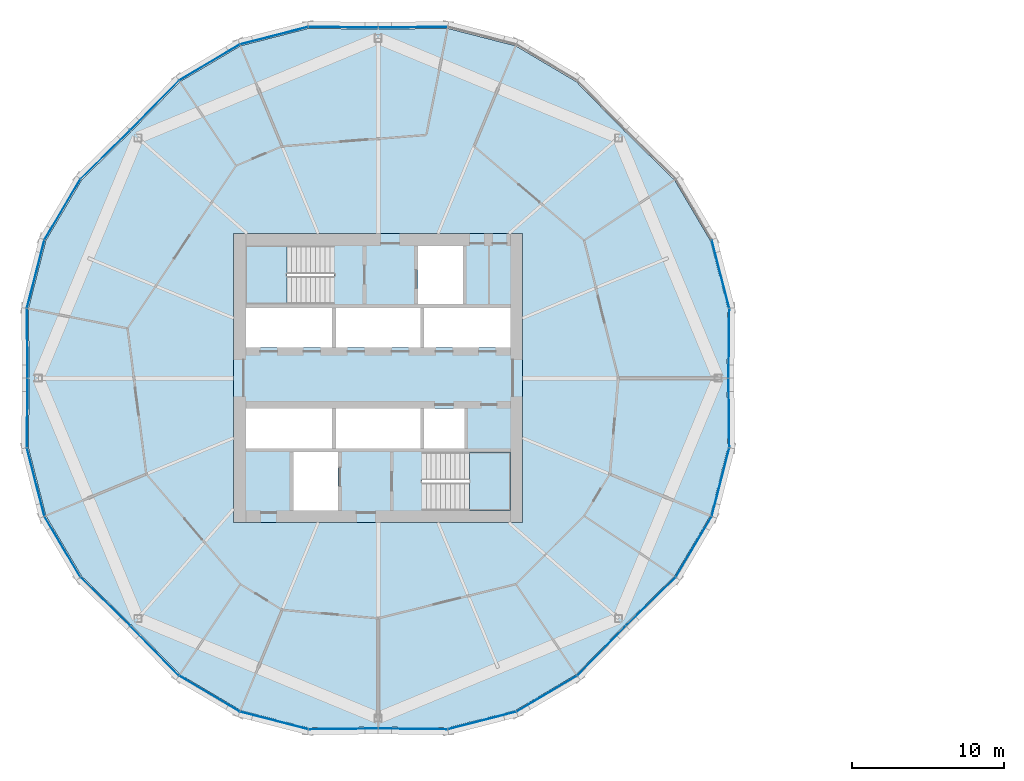
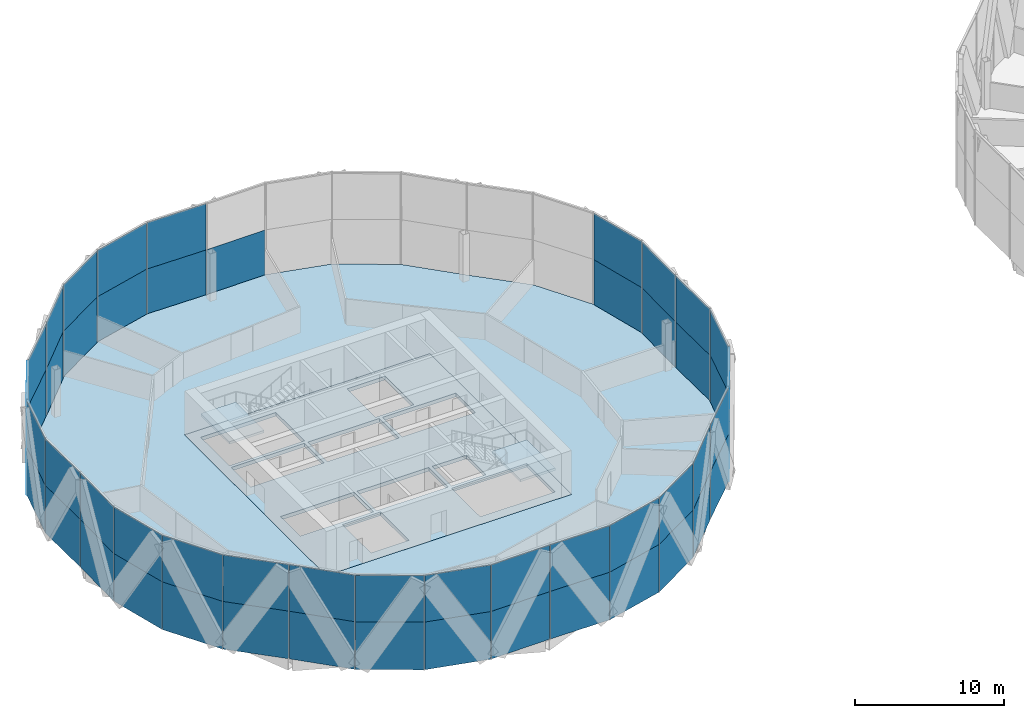
# One storey, part 16 of 27: 53 plates, 4 slabs, 10 elements without a shape of their own.
"""IFC4 building model written with IfcOpenShell, lengths in metres."""

from ifc_helpers import new_model, si_unit, direction, frame, origin, origin_2d, place, context, subcontext, project, spatial, polyline, rectangle, outline, extrude, material, layer, layer_set, type_object, element, aggregate, save


model = new_model("IFC4")

# Units and contexts
model_context = context("Model", 3, precision=1e-05, world=origin(), true_north=direction((0.0, 1.0)))
body_context = subcontext(model_context, "Body", "Model", "MODEL_VIEW")
ifc_project = project(units=[si_unit("LENGTHUNIT", "METRE"), si_unit("AREAUNIT", "SQUARE_METRE"), si_unit("VOLUMEUNIT", "CUBIC_METRE"), si_unit("PLANEANGLEUNIT", "RADIAN"), si_unit("MASSUNIT", "GRAM", prefix="KILO")], contexts=[model_context])

# Site, building, storey
site_placement = place(None, origin())
site = spatial("IfcSite", under=ifc_project, at=site_placement, CompositionType="ELEMENT")
building_placement = place(site_placement, origin())
building = spatial("IfcBuilding", under=site, at=building_placement, Name="Ogive Gate Towers", CompositionType="ELEMENT")
storey_placement = place(building_placement, frame((0.0, 0.0, 123.0)))
storey = spatial("IfcBuildingStorey", under=building, at=storey_placement, Name="L29", CompositionType="ELEMENT", Elevation=123.0)

# Slabs
ifc_material_1 = material(Name="Concrete C40/50", Category="concrete")
ifc_layer_1 = layer(ifc_material_1, 0.300048828125)
ifc_layer_set_1 = layer_set([ifc_layer_1], Name="Core slab C40/50 300 mm")
slab_type_1 = type_object("IfcSlabType", Name="Core slab C40/50 300 mm", PredefinedType="FLOOR", material=ifc_layer_set_1)
slab_1_placement = place(storey_placement, frame((0.0, 0.0, -0.300048828125)))
element("IfcSlab", 1, at=slab_1_placement, inside=storey, type_object=slab_type_1, Name="T1 L29 core slab", PredefinedType="FLOOR", context=body_context, shape_type="SweptSolid", body=[
    extrude(outline(polyline([(-26.5, 9.5), (-26.5, -9.5), (-45.5, -9.5), (-45.5, 9.5), (-26.5, 9.5)]), holes=[polyline([(-39.02490234375, 4.625), (-44.699951171875, 4.625), (-44.699951171875, 2.0), (-39.02490234375, 2.0), (-39.02490234375, 4.625)]), polyline([(-33.22509765625, 2.0), (-33.22509765625, 4.625), (-38.77490234375, 4.625), (-38.77490234375, 2.0), (-33.22509765625, 2.0)]), polyline([(-32.97509765625, 2.0), (-27.300048828125, 2.0), (-27.300048828125, 4.625), (-32.97509765625, 4.625), (-32.97509765625, 2.0)]), polyline([(-44.699951171875, -2.0), (-44.699951171875, -4.625), (-39.02490234375, -4.625), (-39.02490234375, -2.0), (-44.699951171875, -2.0)]), polyline([(-33.22509765625, -2.0), (-38.77490234375, -2.0), (-38.77490234375, -4.625), (-33.22509765625, -4.625), (-33.22509765625, -2.0)]), polyline([(-30.324951171875, -4.625), (-30.324951171875, -2.0), (-32.97509765625, -2.0), (-32.97509765625, -4.625), (-30.324951171875, -4.625)]), polyline([(-33.375, 4.875), (-30.425048828125, 4.875), (-30.425048828125, 8.699951171875), (-33.375, 8.699951171875), (-33.375, 4.875)]), polyline([(-41.574951171875, -4.875), (-41.574951171875, -8.699951171875), (-38.625, -8.699951171875), (-38.625, -4.875), (-41.574951171875, -4.875)]), polyline([(-44.699951171875, 4.875), (-38.885009765625, 4.875), (-38.885009765625, 8.699951171875), (-44.699951171875, 8.699951171875), (-44.699951171875, 4.875)]), polyline([(-27.300048828125, -8.699951171875), (-27.300048828125, -4.875), (-33.114990234375, -4.875), (-33.114990234375, -8.699951171875), (-27.300048828125, -8.699951171875)])]), origin(), (0.0, 0.0, 1.0), 0.300048828125),
])
ifc_material_2 = material(Name="Concrete C35/45", Category="concrete")
ifc_layer_2 = layer(ifc_material_2, 0.300048828125)
ifc_layer_set_2 = layer_set([ifc_layer_2], Name="Floor slab 300")
slab_type_2 = type_object("IfcSlabType", Name="Floor slab 300", PredefinedType="FLOOR", material=ifc_layer_set_2)
slab_2_placement = place(storey_placement, frame((0.0, 0.0, -0.300048828125)))
element("IfcSlab", 2, at=slab_2_placement, inside=storey, type_object=slab_type_2, Name="T1/L29/SSL001", PredefinedType="FLOOR", context=body_context, shape_type="SweptSolid", body=[
    extrude(outline(polyline([(-13.00048828125, -4.574951171875), (-13.050048828125, 0.0), (-13.00048828125, 4.574951171875), (-14.150146484375, 9.050537109375), (-16.501953125, 13.028076171875), (-19.77197265625, 16.22802734375), (-22.971923828125, 19.498046875), (-26.949462890625, 21.849853515625), (-31.425048828125, 22.99951171875), (-36.0, 22.949951171875), (-40.574951171875, 22.99951171875), (-45.050537109375, 21.849853515625), (-49.028076171875, 19.498046875), (-52.22802734375, 16.22802734375), (-55.498046875, 13.028076171875), (-57.849853515625, 9.050537109375), (-58.99951171875, 4.574951171875), (-58.949951171875, 0.0), (-58.99951171875, -4.574951171875), (-57.849853515625, -9.050537109375), (-55.498046875, -13.028076171875), (-52.22802734375, -16.22802734375), (-49.028076171875, -19.498046875), (-45.050537109375, -21.849853515625), (-40.574951171875, -22.99951171875), (-36.0, -22.949951171875), (-31.425048828125, -22.99951171875), (-26.949462890625, -21.849853515625), (-22.971923828125, -19.498046875), (-19.77197265625, -16.22802734375), (-16.501953125, -13.028076171875), (-14.150146484375, -9.050537109375), (-13.00048828125, -4.574951171875)]), holes=[polyline([(-26.5, -9.5), (-45.5, -9.5), (-45.5, 9.5), (-26.5, 9.5), (-26.5, -9.5)])]), origin(), (0.0, 0.0, 1.0), 0.300048828125),
])

# Stair, slab
stair_type = type_object("IfcStairType", Name="Escape stair 1840 wide", PredefinedType="HALF_TURN_STAIR", material=ifc_material_1)
stair_1_placement = place(storey_placement, origin())
stair_1 = element("IfcStair", 3, at=stair_1_placement, inside=storey, type_object=stair_type, Name="L29 Escape stair 1", PredefinedType="HALF_TURN_STAIR")
ifc_layer_3 = layer(ifc_material_1, 0.199951171875)
ifc_layer_set_3 = layer_set([ifc_layer_3], Name="Stair landing 200 mm")
slab_type_3 = type_object("IfcSlabType", Name="Stair landing 200 mm", PredefinedType="LANDING", material=ifc_layer_set_3)
slab_3_placement = place(storey_placement, frame((0.0, 0.0, 1.75)))
slab_3 = element("IfcSlab", 4, at=slab_3_placement, type_object=slab_type_3, Name="ST1 landing 1", PredefinedType="LANDING", context=body_context, shape_type="SweptSolid", body=[
    extrude(outline(polyline([(-42.00146484375, 8.699951171875), (-44.699951171875, 8.699951171875), (-44.699951171875, 4.875), (-42.00146484375, 4.875), (-42.00146484375, 8.699951171875)])), origin(), (0.0, 0.0, 1.0), 0.199951171875),
])
aggregate(stair_1, [slab_3])

stair_2_placement = place(storey_placement, origin())
stair_2 = element("IfcStair", 5, at=stair_2_placement, inside=storey, type_object=stair_type, Name="L29 Escape stair 2", PredefinedType="HALF_TURN_STAIR")
slab_4_placement = place(storey_placement, frame((0.0, 0.0, 1.75)))
slab_4 = element("IfcSlab", 6, at=slab_4_placement, type_object=slab_type_3, Name="ST2 landing 1", PredefinedType="LANDING", context=body_context, shape_type="SweptSolid", body=[
    extrude(outline(polyline([(-29.99853515625, -8.699951171875), (-27.300048828125, -8.699951171875), (-27.300048828125, -4.875), (-29.99853515625, -4.875), (-29.99853515625, -8.699951171875)])), origin(), (0.0, 0.0, 1.0), 0.199951171875),
])
aggregate(stair_2, [slab_4])

# Curtain wall, plates
ifc_material_3 = material(Name="Pale metal aluminium", Category="aluminium")
curtain_wall_type = type_object("IfcCurtainWallType", Name="Tower unitised wall, low zone", PredefinedType="NOTDEFINED", material=ifc_material_3)
curtain_wall_1_placement = place(storey_placement, origin())
curtain_wall_1 = element("IfcCurtainWall", 7, at=curtain_wall_1_placement, inside=storey, type_object=curtain_wall_type, Name="CW1 T1 ECW01", PredefinedType="NOTDEFINED")
ifc_material_4 = material(Name="Clear glass", Category="glass")
ifc_layer_4 = layer(ifc_material_4, 0.028076171875)
ifc_layer_set_4 = layer_set([ifc_layer_4], Name="Tower unitised wall, low zone glass panel")
plate_type = type_object("IfcPlateType", Name="Tower unitised wall, low zone glass panel", PredefinedType="CURTAIN_PANEL", material=ifc_layer_set_4)
plate_1_placement = place(storey_placement, frame((-12.92529296875, 2.29150390625, -0.300048828125), z_axis=(0.0, 0.0, 1.0), x_axis=(0.010820830182, 0.999941453103, 0.0)))
plate_1 = element("IfcPlate", 8, at=plate_1_placement, type_object=plate_type, Name="CW1 glass panel", PredefinedType="CURTAIN_PANEL", context=body_context, shape_type="SweptSolid", body=[
    extrude(rectangle(XDim=4.529296875, YDim=0.028076171875, at=origin_2d()), origin(), (0.0, 0.0, 1.0), 3.89990234375),
])
plate_2_placement = place(storey_placement, frame((-12.92529296875, 2.29150390625, 3.60009765625), z_axis=(0.0, 0.0, 1.0), x_axis=(0.010820830182, 0.999941453103, 0.0)))
plate_2 = element("IfcPlate", 9, at=plate_2_placement, type_object=plate_type, Name="CW1 glass panel", PredefinedType="CURTAIN_PANEL", context=body_context, shape_type="SweptSolid", body=[
    extrude(rectangle(XDim=4.529296875, YDim=0.028076171875, at=origin_2d()), origin(), (0.0, 0.0, 1.0), 3.803955078125),
])
plate_3_placement = place(storey_placement, frame((-13.478515625, 6.837890625, -0.300048828125), z_axis=(0.0, 0.0, 1.0), x_axis=(-0.248808220065, 0.968552770699, 0.0)))
plate_3 = element("IfcPlate", 10, at=plate_3_placement, type_object=plate_type, Name="CW1 glass panel", PredefinedType="CURTAIN_PANEL", context=body_context, shape_type="SweptSolid", body=[
    extrude(rectangle(XDim=4.58642578125, YDim=0.028076171875, at=origin_2d()), origin(), (0.0, 0.0, 1.0), 3.89990234375),
])
plate_4_placement = place(storey_placement, frame((-13.478515625, 6.837890625, 3.60009765625), z_axis=(0.0, 0.0, 1.0), x_axis=(-0.248808220065, 0.968552770699, 0.0)))
plate_4 = element("IfcPlate", 11, at=plate_4_placement, type_object=plate_type, Name="CW1 glass panel", PredefinedType="CURTAIN_PANEL", context=body_context, shape_type="SweptSolid", body=[
    extrude(rectangle(XDim=4.58642578125, YDim=0.028076171875, at=origin_2d()), origin(), (0.0, 0.0, 1.0), 3.803955078125),
])
aggregate(curtain_wall_1, [plate_1, plate_2, plate_3, plate_4])

# Curtain wall, plate
curtain_wall_2_placement = place(storey_placement, origin())
curtain_wall_2 = element("IfcCurtainWall", 12, at=curtain_wall_2_placement, inside=storey, type_object=curtain_wall_type, Name="CW1 T1 ECW02", PredefinedType="NOTDEFINED")
plate_5_placement = place(storey_placement, frame((-33.70849609375, 23.07470703125, -0.300048828125), z_axis=(0.0, 0.0, 1.0), x_axis=(-0.999941453103, -0.010820830182, 0.0)))
plate_5 = element("IfcPlate", 13, at=plate_5_placement, type_object=plate_type, Name="CW1 glass panel", PredefinedType="CURTAIN_PANEL", context=body_context, shape_type="SweptSolid", body=[
    extrude(rectangle(XDim=4.529296875, YDim=0.028076171875, at=origin_2d()), origin(), (0.0, 0.0, 1.0), 3.89990234375),
])
aggregate(curtain_wall_2, [plate_5])

# Curtain wall, plates
curtain_wall_3_placement = place(storey_placement, origin())
curtain_wall_3 = element("IfcCurtainWall", 14, at=curtain_wall_3_placement, inside=storey, type_object=curtain_wall_type, Name="CW1 T1 ECW03", PredefinedType="NOTDEFINED")
plate_6_placement = place(storey_placement, frame((-38.29150390625, 23.07470703125, -0.300048828125), z_axis=(0.0, 0.0, 1.0), x_axis=(-0.999941453103, 0.010820830182, 0.0)))
plate_6 = element("IfcPlate", 15, at=plate_6_placement, type_object=plate_type, Name="CW1 glass panel", PredefinedType="CURTAIN_PANEL", context=body_context, shape_type="SweptSolid", body=[
    extrude(rectangle(XDim=4.529296875, YDim=0.028076171875, at=origin_2d()), origin(), (0.0, 0.0, 1.0), 3.89990234375),
])
plate_7_placement = place(storey_placement, frame((-38.29150390625, 23.07470703125, 3.60009765625), z_axis=(0.0, 0.0, 1.0), x_axis=(-0.999941453103, 0.010820830182, 0.0)))
plate_7 = element("IfcPlate", 16, at=plate_7_placement, type_object=plate_type, Name="CW1 glass panel", PredefinedType="CURTAIN_PANEL", context=body_context, shape_type="SweptSolid", body=[
    extrude(rectangle(XDim=4.529296875, YDim=0.028076171875, at=origin_2d()), origin(), (0.0, 0.0, 1.0), 3.803955078125),
])
plate_8_placement = place(storey_placement, frame((-42.837890625, 22.521484375, -0.300048828125), z_axis=(0.0, 0.0, 1.0), x_axis=(-0.968552770699, -0.248808220065, 0.0)))
plate_8 = element("IfcPlate", 17, at=plate_8_placement, type_object=plate_type, Name="CW1 glass panel", PredefinedType="CURTAIN_PANEL", context=body_context, shape_type="SweptSolid", body=[
    extrude(rectangle(XDim=4.58642578125, YDim=0.028076171875, at=origin_2d()), origin(), (0.0, 0.0, 1.0), 3.89990234375),
])
plate_9_placement = place(storey_placement, frame((-42.837890625, 22.521484375, 3.60009765625), z_axis=(0.0, 0.0, 1.0), x_axis=(-0.968552770699, -0.248808220065, 0.0)))
plate_9 = element("IfcPlate", 18, at=plate_9_placement, type_object=plate_type, Name="CW1 glass panel", PredefinedType="CURTAIN_PANEL", context=body_context, shape_type="SweptSolid", body=[
    extrude(rectangle(XDim=4.58642578125, YDim=0.028076171875, at=origin_2d()), origin(), (0.0, 0.0, 1.0), 3.803955078125),
])
plate_10_placement = place(storey_placement, frame((-47.08984375, 20.76025390625, -0.300048828125), z_axis=(0.0, 0.0, 1.0), x_axis=(-0.860795328977, -0.508951276265, 0.0)))
plate_10 = element("IfcPlate", 19, at=plate_10_placement, type_object=plate_type, Name="CW1 glass panel", PredefinedType="CURTAIN_PANEL", context=body_context, shape_type="SweptSolid", body=[
    extrude(rectangle(XDim=4.58642578125, YDim=0.028076171875, at=origin_2d()), origin(), (0.0, 0.0, 1.0), 3.89990234375),
])
plate_11_placement = place(storey_placement, frame((-47.08984375, 20.76025390625, 3.60009765625), z_axis=(0.0, 0.0, 1.0), x_axis=(-0.860795328977, -0.508951276265, 0.0)))
plate_11 = element("IfcPlate", 20, at=plate_11_placement, type_object=plate_type, Name="CW1 glass panel", PredefinedType="CURTAIN_PANEL", context=body_context, shape_type="SweptSolid", body=[
    extrude(rectangle(XDim=4.58642578125, YDim=0.028076171875, at=origin_2d()), origin(), (0.0, 0.0, 1.0), 3.803955078125),
])
plate_12_placement = place(storey_placement, frame((-50.69580078125, 17.936767578125, -0.300048828125), z_axis=(0.0, 0.0, 1.0), x_axis=(-0.699426373935, -0.714704657494, 0.0)))
plate_12 = element("IfcPlate", 21, at=plate_12_placement, type_object=plate_type, Name="CW1 glass panel", PredefinedType="CURTAIN_PANEL", context=body_context, shape_type="SweptSolid", body=[
    extrude(rectangle(XDim=4.529296875, YDim=0.028076171875, at=origin_2d()), origin(), (0.0, 0.0, 1.0), 3.89990234375),
])
plate_13_placement = place(storey_placement, frame((-50.69580078125, 17.936767578125, 3.60009765625), z_axis=(0.0, 0.0, 1.0), x_axis=(-0.699426373935, -0.714704657494, 0.0)))
plate_13 = element("IfcPlate", 22, at=plate_13_placement, type_object=plate_type, Name="CW1 glass panel", PredefinedType="CURTAIN_PANEL", context=body_context, shape_type="SweptSolid", body=[
    extrude(rectangle(XDim=4.529296875, YDim=0.028076171875, at=origin_2d()), origin(), (0.0, 0.0, 1.0), 3.803955078125),
])
aggregate(curtain_wall_3, [plate_6, plate_7, plate_8, plate_9, plate_10, plate_11, plate_12, plate_13])

curtain_wall_4_placement = place(storey_placement, origin())
curtain_wall_4 = element("IfcCurtainWall", 23, at=curtain_wall_4_placement, inside=storey, type_object=curtain_wall_type, Name="CW1 T1 ECW04", PredefinedType="NOTDEFINED")
plate_14_placement = place(storey_placement, frame((-53.936767578125, 14.69580078125, -0.300048828125), z_axis=(0.0, 0.0, 1.0), x_axis=(-0.714704657494, -0.699426373935, 0.0)))
plate_14 = element("IfcPlate", 24, at=plate_14_placement, type_object=plate_type, Name="CW1 glass panel", PredefinedType="CURTAIN_PANEL", context=body_context, shape_type="SweptSolid", body=[
    extrude(rectangle(XDim=4.529296875, YDim=0.028076171875, at=origin_2d()), origin(), (0.0, 0.0, 1.0), 3.89990234375),
])
plate_15_placement = place(storey_placement, frame((-53.936767578125, 14.69580078125, 3.60009765625), z_axis=(0.0, 0.0, 1.0), x_axis=(-0.714704657494, -0.699426373935, 0.0)))
plate_15 = element("IfcPlate", 25, at=plate_15_placement, type_object=plate_type, Name="CW1 glass panel", PredefinedType="CURTAIN_PANEL", context=body_context, shape_type="SweptSolid", body=[
    extrude(rectangle(XDim=4.529296875, YDim=0.028076171875, at=origin_2d()), origin(), (0.0, 0.0, 1.0), 3.803955078125),
])
plate_16_placement = place(storey_placement, frame((-56.76025390625, 11.08984375, -0.300048828125), z_axis=(0.0, 0.0, 1.0), x_axis=(-0.508951276265, -0.860795328977, 0.0)))
plate_16 = element("IfcPlate", 26, at=plate_16_placement, type_object=plate_type, Name="CW1 glass panel", PredefinedType="CURTAIN_PANEL", context=body_context, shape_type="SweptSolid", body=[
    extrude(rectangle(XDim=4.58642578125, YDim=0.028076171875, at=origin_2d()), origin(), (0.0, 0.0, 1.0), 3.89990234375),
])
plate_17_placement = place(storey_placement, frame((-56.76025390625, 11.08984375, 3.60009765625), z_axis=(0.0, 0.0, 1.0), x_axis=(-0.508951276265, -0.860795328977, 0.0)))
plate_17 = element("IfcPlate", 27, at=plate_17_placement, type_object=plate_type, Name="CW1 glass panel", PredefinedType="CURTAIN_PANEL", context=body_context, shape_type="SweptSolid", body=[
    extrude(rectangle(XDim=4.58642578125, YDim=0.028076171875, at=origin_2d()), origin(), (0.0, 0.0, 1.0), 3.803955078125),
])
plate_18_placement = place(storey_placement, frame((-58.521484375, 6.837890625, -0.300048828125), z_axis=(0.0, 0.0, 1.0), x_axis=(-0.248808220065, -0.968552770699, 0.0)))
plate_18 = element("IfcPlate", 28, at=plate_18_placement, type_object=plate_type, Name="CW1 glass panel", PredefinedType="CURTAIN_PANEL", context=body_context, shape_type="SweptSolid", body=[
    extrude(rectangle(XDim=4.58642578125, YDim=0.028076171875, at=origin_2d()), origin(), (0.0, 0.0, 1.0), 3.89990234375),
])
plate_19_placement = place(storey_placement, frame((-58.521484375, 6.837890625, 3.60009765625), z_axis=(0.0, 0.0, 1.0), x_axis=(-0.248808220065, -0.968552770699, 0.0)))
plate_19 = element("IfcPlate", 29, at=plate_19_placement, type_object=plate_type, Name="CW1 glass panel", PredefinedType="CURTAIN_PANEL", context=body_context, shape_type="SweptSolid", body=[
    extrude(rectangle(XDim=4.58642578125, YDim=0.028076171875, at=origin_2d()), origin(), (0.0, 0.0, 1.0), 3.803955078125),
])
plate_20_placement = place(storey_placement, frame((-59.07470703125, 2.29150390625, -0.300048828125), z_axis=(0.0, 0.0, 1.0), x_axis=(0.010820830182, -0.999941453103, 0.0)))
plate_20 = element("IfcPlate", 30, at=plate_20_placement, type_object=plate_type, Name="CW1 glass panel", PredefinedType="CURTAIN_PANEL", context=body_context, shape_type="SweptSolid", body=[
    extrude(rectangle(XDim=4.529296875, YDim=0.028076171875, at=origin_2d()), origin(), (0.0, 0.0, 1.0), 3.89990234375),
])
plate_21_placement = place(storey_placement, frame((-59.07470703125, 2.29150390625, 3.60009765625), z_axis=(0.0, 0.0, 1.0), x_axis=(0.010820830182, -0.999941453103, 0.0)))
plate_21 = element("IfcPlate", 31, at=plate_21_placement, type_object=plate_type, Name="CW1 glass panel", PredefinedType="CURTAIN_PANEL", context=body_context, shape_type="SweptSolid", body=[
    extrude(rectangle(XDim=4.529296875, YDim=0.028076171875, at=origin_2d()), origin(), (0.0, 0.0, 1.0), 3.803955078125),
])
aggregate(curtain_wall_4, [plate_14, plate_15, plate_16, plate_17, plate_18, plate_19, plate_20, plate_21])

curtain_wall_5_placement = place(storey_placement, origin())
curtain_wall_5 = element("IfcCurtainWall", 32, at=curtain_wall_5_placement, inside=storey, type_object=curtain_wall_type, Name="CW1 T1 ECW05", PredefinedType="NOTDEFINED")
plate_22_placement = place(storey_placement, frame((-59.07470703125, -2.29150390625, -0.300048828125), z_axis=(0.0, 0.0, 1.0), x_axis=(-0.010820830182, -0.999941453103, 0.0)))
plate_22 = element("IfcPlate", 33, at=plate_22_placement, type_object=plate_type, Name="CW1 glass panel", PredefinedType="CURTAIN_PANEL", context=body_context, shape_type="SweptSolid", body=[
    extrude(rectangle(XDim=4.529296875, YDim=0.028076171875, at=origin_2d()), origin(), (0.0, 0.0, 1.0), 3.89990234375),
])
plate_23_placement = place(storey_placement, frame((-59.07470703125, -2.29150390625, 3.60009765625), z_axis=(0.0, 0.0, 1.0), x_axis=(-0.010820830182, -0.999941453103, 0.0)))
plate_23 = element("IfcPlate", 34, at=plate_23_placement, type_object=plate_type, Name="CW1 glass panel", PredefinedType="CURTAIN_PANEL", context=body_context, shape_type="SweptSolid", body=[
    extrude(rectangle(XDim=4.529296875, YDim=0.028076171875, at=origin_2d()), origin(), (0.0, 0.0, 1.0), 3.803955078125),
])
plate_24_placement = place(storey_placement, frame((-58.521484375, -6.837890625, -0.300048828125), z_axis=(0.0, 0.0, 1.0), x_axis=(0.248808220065, -0.968552770699, 0.0)))
plate_24 = element("IfcPlate", 35, at=plate_24_placement, type_object=plate_type, Name="CW1 glass panel", PredefinedType="CURTAIN_PANEL", context=body_context, shape_type="SweptSolid", body=[
    extrude(rectangle(XDim=4.58642578125, YDim=0.028076171875, at=origin_2d()), origin(), (0.0, 0.0, 1.0), 3.89990234375),
])
plate_25_placement = place(storey_placement, frame((-58.521484375, -6.837890625, 3.60009765625), z_axis=(0.0, 0.0, 1.0), x_axis=(0.248808220065, -0.968552770699, 0.0)))
plate_25 = element("IfcPlate", 36, at=plate_25_placement, type_object=plate_type, Name="CW1 glass panel", PredefinedType="CURTAIN_PANEL", context=body_context, shape_type="SweptSolid", body=[
    extrude(rectangle(XDim=4.58642578125, YDim=0.028076171875, at=origin_2d()), origin(), (0.0, 0.0, 1.0), 3.803955078125),
])
plate_26_placement = place(storey_placement, frame((-56.76025390625, -11.08984375, -0.300048828125), z_axis=(0.0, 0.0, 1.0), x_axis=(0.508951276265, -0.860795328977, 0.0)))
plate_26 = element("IfcPlate", 37, at=plate_26_placement, type_object=plate_type, Name="CW1 glass panel", PredefinedType="CURTAIN_PANEL", context=body_context, shape_type="SweptSolid", body=[
    extrude(rectangle(XDim=4.58642578125, YDim=0.028076171875, at=origin_2d()), origin(), (0.0, 0.0, 1.0), 3.89990234375),
])
plate_27_placement = place(storey_placement, frame((-56.76025390625, -11.08984375, 3.60009765625), z_axis=(0.0, 0.0, 1.0), x_axis=(0.508951276265, -0.860795328977, 0.0)))
plate_27 = element("IfcPlate", 38, at=plate_27_placement, type_object=plate_type, Name="CW1 glass panel", PredefinedType="CURTAIN_PANEL", context=body_context, shape_type="SweptSolid", body=[
    extrude(rectangle(XDim=4.58642578125, YDim=0.028076171875, at=origin_2d()), origin(), (0.0, 0.0, 1.0), 3.803955078125),
])
plate_28_placement = place(storey_placement, frame((-53.936767578125, -14.69580078125, -0.300048828125), z_axis=(0.0, 0.0, 1.0), x_axis=(0.714704657494, -0.699426373935, 0.0)))
plate_28 = element("IfcPlate", 39, at=plate_28_placement, type_object=plate_type, Name="CW1 glass panel", PredefinedType="CURTAIN_PANEL", context=body_context, shape_type="SweptSolid", body=[
    extrude(rectangle(XDim=4.529296875, YDim=0.028076171875, at=origin_2d()), origin(), (0.0, 0.0, 1.0), 3.89990234375),
])
plate_29_placement = place(storey_placement, frame((-53.936767578125, -14.69580078125, 3.60009765625), z_axis=(0.0, 0.0, 1.0), x_axis=(0.714704657494, -0.699426373935, 0.0)))
plate_29 = element("IfcPlate", 40, at=plate_29_placement, type_object=plate_type, Name="CW1 glass panel", PredefinedType="CURTAIN_PANEL", context=body_context, shape_type="SweptSolid", body=[
    extrude(rectangle(XDim=4.529296875, YDim=0.028076171875, at=origin_2d()), origin(), (0.0, 0.0, 1.0), 3.803955078125),
])
aggregate(curtain_wall_5, [plate_22, plate_23, plate_24, plate_25, plate_26, plate_27, plate_28, plate_29])

curtain_wall_6_placement = place(storey_placement, origin())
curtain_wall_6 = element("IfcCurtainWall", 41, at=curtain_wall_6_placement, inside=storey, type_object=curtain_wall_type, Name="CW1 T1 ECW06", PredefinedType="NOTDEFINED")
plate_30_placement = place(storey_placement, frame((-50.69580078125, -17.936767578125, -0.300048828125), z_axis=(0.0, 0.0, 1.0), x_axis=(0.699426373935, -0.714704657494, 0.0)))
plate_30 = element("IfcPlate", 42, at=plate_30_placement, type_object=plate_type, Name="CW1 glass panel", PredefinedType="CURTAIN_PANEL", context=body_context, shape_type="SweptSolid", body=[
    extrude(rectangle(XDim=4.529296875, YDim=0.028076171875, at=origin_2d()), origin(), (0.0, 0.0, 1.0), 3.89990234375),
])
plate_31_placement = place(storey_placement, frame((-50.69580078125, -17.936767578125, 3.60009765625), z_axis=(0.0, 0.0, 1.0), x_axis=(0.699426373935, -0.714704657494, 0.0)))
plate_31 = element("IfcPlate", 43, at=plate_31_placement, type_object=plate_type, Name="CW1 glass panel", PredefinedType="CURTAIN_PANEL", context=body_context, shape_type="SweptSolid", body=[
    extrude(rectangle(XDim=4.529296875, YDim=0.028076171875, at=origin_2d()), origin(), (0.0, 0.0, 1.0), 3.803955078125),
])
plate_32_placement = place(storey_placement, frame((-47.08984375, -20.76025390625, -0.300048828125), z_axis=(0.0, 0.0, 1.0), x_axis=(0.860795328977, -0.508951276265, 0.0)))
plate_32 = element("IfcPlate", 44, at=plate_32_placement, type_object=plate_type, Name="CW1 glass panel", PredefinedType="CURTAIN_PANEL", context=body_context, shape_type="SweptSolid", body=[
    extrude(rectangle(XDim=4.58642578125, YDim=0.028076171875, at=origin_2d()), origin(), (0.0, 0.0, 1.0), 3.89990234375),
])
plate_33_placement = place(storey_placement, frame((-47.08984375, -20.76025390625, 3.60009765625), z_axis=(0.0, 0.0, 1.0), x_axis=(0.860795328977, -0.508951276265, 0.0)))
plate_33 = element("IfcPlate", 45, at=plate_33_placement, type_object=plate_type, Name="CW1 glass panel", PredefinedType="CURTAIN_PANEL", context=body_context, shape_type="SweptSolid", body=[
    extrude(rectangle(XDim=4.58642578125, YDim=0.028076171875, at=origin_2d()), origin(), (0.0, 0.0, 1.0), 3.803955078125),
])
plate_34_placement = place(storey_placement, frame((-42.837890625, -22.521484375, -0.300048828125), z_axis=(0.0, 0.0, 1.0), x_axis=(0.968552770699, -0.248808220065, 0.0)))
plate_34 = element("IfcPlate", 46, at=plate_34_placement, type_object=plate_type, Name="CW1 glass panel", PredefinedType="CURTAIN_PANEL", context=body_context, shape_type="SweptSolid", body=[
    extrude(rectangle(XDim=4.58642578125, YDim=0.028076171875, at=origin_2d()), origin(), (0.0, 0.0, 1.0), 3.89990234375),
])
plate_35_placement = place(storey_placement, frame((-42.837890625, -22.521484375, 3.60009765625), z_axis=(0.0, 0.0, 1.0), x_axis=(0.968552770699, -0.248808220065, 0.0)))
plate_35 = element("IfcPlate", 47, at=plate_35_placement, type_object=plate_type, Name="CW1 glass panel", PredefinedType="CURTAIN_PANEL", context=body_context, shape_type="SweptSolid", body=[
    extrude(rectangle(XDim=4.58642578125, YDim=0.028076171875, at=origin_2d()), origin(), (0.0, 0.0, 1.0), 3.803955078125),
])
plate_36_placement = place(storey_placement, frame((-38.29150390625, -23.07470703125, -0.300048828125), z_axis=(0.0, 0.0, 1.0), x_axis=(0.999941453103, 0.010820830182, 0.0)))
plate_36 = element("IfcPlate", 48, at=plate_36_placement, type_object=plate_type, Name="CW1 glass panel", PredefinedType="CURTAIN_PANEL", context=body_context, shape_type="SweptSolid", body=[
    extrude(rectangle(XDim=4.529296875, YDim=0.028076171875, at=origin_2d()), origin(), (0.0, 0.0, 1.0), 3.89990234375),
])
plate_37_placement = place(storey_placement, frame((-38.29150390625, -23.07470703125, 3.60009765625), z_axis=(0.0, 0.0, 1.0), x_axis=(0.999941453103, 0.010820830182, 0.0)))
plate_37 = element("IfcPlate", 49, at=plate_37_placement, type_object=plate_type, Name="CW1 glass panel", PredefinedType="CURTAIN_PANEL", context=body_context, shape_type="SweptSolid", body=[
    extrude(rectangle(XDim=4.529296875, YDim=0.028076171875, at=origin_2d()), origin(), (0.0, 0.0, 1.0), 3.803955078125),
])
aggregate(curtain_wall_6, [plate_30, plate_31, plate_32, plate_33, plate_34, plate_35, plate_36, plate_37])

curtain_wall_7_placement = place(storey_placement, origin())
curtain_wall_7 = element("IfcCurtainWall", 50, at=curtain_wall_7_placement, inside=storey, type_object=curtain_wall_type, Name="CW1 T1 ECW07", PredefinedType="NOTDEFINED")
plate_38_placement = place(storey_placement, frame((-33.70849609375, -23.07470703125, -0.300048828125), z_axis=(0.0, 0.0, 1.0), x_axis=(0.999941453103, -0.010820830182, 0.0)))
plate_38 = element("IfcPlate", 51, at=plate_38_placement, type_object=plate_type, Name="CW1 glass panel", PredefinedType="CURTAIN_PANEL", context=body_context, shape_type="SweptSolid", body=[
    extrude(rectangle(XDim=4.529296875, YDim=0.028076171875, at=origin_2d()), origin(), (0.0, 0.0, 1.0), 3.89990234375),
])
plate_39_placement = place(storey_placement, frame((-33.70849609375, -23.07470703125, 3.60009765625), z_axis=(0.0, 0.0, 1.0), x_axis=(0.999941453103, -0.010820830182, 0.0)))
plate_39 = element("IfcPlate", 52, at=plate_39_placement, type_object=plate_type, Name="CW1 glass panel", PredefinedType="CURTAIN_PANEL", context=body_context, shape_type="SweptSolid", body=[
    extrude(rectangle(XDim=4.529296875, YDim=0.028076171875, at=origin_2d()), origin(), (0.0, 0.0, 1.0), 3.803955078125),
])
plate_40_placement = place(storey_placement, frame((-29.162109375, -22.521484375, -0.300048828125), z_axis=(0.0, 0.0, 1.0), x_axis=(0.968552770699, 0.248808220065, 0.0)))
plate_40 = element("IfcPlate", 53, at=plate_40_placement, type_object=plate_type, Name="CW1 glass panel", PredefinedType="CURTAIN_PANEL", context=body_context, shape_type="SweptSolid", body=[
    extrude(rectangle(XDim=4.58642578125, YDim=0.028076171875, at=origin_2d()), origin(), (0.0, 0.0, 1.0), 3.89990234375),
])
plate_41_placement = place(storey_placement, frame((-29.162109375, -22.521484375, 3.60009765625), z_axis=(0.0, 0.0, 1.0), x_axis=(0.968552770699, 0.248808220065, 0.0)))
plate_41 = element("IfcPlate", 54, at=plate_41_placement, type_object=plate_type, Name="CW1 glass panel", PredefinedType="CURTAIN_PANEL", context=body_context, shape_type="SweptSolid", body=[
    extrude(rectangle(XDim=4.58642578125, YDim=0.028076171875, at=origin_2d()), origin(), (0.0, 0.0, 1.0), 3.803955078125),
])
plate_42_placement = place(storey_placement, frame((-24.91015625, -20.76025390625, -0.300048828125), z_axis=(0.0, 0.0, 1.0), x_axis=(0.860795328977, 0.508951276265, 0.0)))
plate_42 = element("IfcPlate", 55, at=plate_42_placement, type_object=plate_type, Name="CW1 glass panel", PredefinedType="CURTAIN_PANEL", context=body_context, shape_type="SweptSolid", body=[
    extrude(rectangle(XDim=4.58642578125, YDim=0.028076171875, at=origin_2d()), origin(), (0.0, 0.0, 1.0), 3.89990234375),
])
plate_43_placement = place(storey_placement, frame((-24.91015625, -20.76025390625, 3.60009765625), z_axis=(0.0, 0.0, 1.0), x_axis=(0.860795328977, 0.508951276265, 0.0)))
plate_43 = element("IfcPlate", 56, at=plate_43_placement, type_object=plate_type, Name="CW1 glass panel", PredefinedType="CURTAIN_PANEL", context=body_context, shape_type="SweptSolid", body=[
    extrude(rectangle(XDim=4.58642578125, YDim=0.028076171875, at=origin_2d()), origin(), (0.0, 0.0, 1.0), 3.803955078125),
])
plate_44_placement = place(storey_placement, frame((-21.30419921875, -17.936767578125, -0.300048828125), z_axis=(0.0, 0.0, 1.0), x_axis=(0.699426373935, 0.714704657494, 0.0)))
plate_44 = element("IfcPlate", 57, at=plate_44_placement, type_object=plate_type, Name="CW1 glass panel", PredefinedType="CURTAIN_PANEL", context=body_context, shape_type="SweptSolid", body=[
    extrude(rectangle(XDim=4.529296875, YDim=0.028076171875, at=origin_2d()), origin(), (0.0, 0.0, 1.0), 3.89990234375),
])
plate_45_placement = place(storey_placement, frame((-21.30419921875, -17.936767578125, 3.60009765625), z_axis=(0.0, 0.0, 1.0), x_axis=(0.699426373935, 0.714704657494, 0.0)))
plate_45 = element("IfcPlate", 58, at=plate_45_placement, type_object=plate_type, Name="CW1 glass panel", PredefinedType="CURTAIN_PANEL", context=body_context, shape_type="SweptSolid", body=[
    extrude(rectangle(XDim=4.529296875, YDim=0.028076171875, at=origin_2d()), origin(), (0.0, 0.0, 1.0), 3.803955078125),
])
aggregate(curtain_wall_7, [plate_38, plate_39, plate_40, plate_41, plate_42, plate_43, plate_44, plate_45])

curtain_wall_8_placement = place(storey_placement, origin())
curtain_wall_8 = element("IfcCurtainWall", 59, at=curtain_wall_8_placement, inside=storey, type_object=curtain_wall_type, Name="CW1 T1 ECW08", PredefinedType="NOTDEFINED")
plate_46_placement = place(storey_placement, frame((-18.063232421875, -14.69580078125, -0.300048828125), z_axis=(0.0, 0.0, 1.0), x_axis=(0.714704657494, 0.699426373935, 0.0)))
plate_46 = element("IfcPlate", 60, at=plate_46_placement, type_object=plate_type, Name="CW1 glass panel", PredefinedType="CURTAIN_PANEL", context=body_context, shape_type="SweptSolid", body=[
    extrude(rectangle(XDim=4.529296875, YDim=0.028076171875, at=origin_2d()), origin(), (0.0, 0.0, 1.0), 3.89990234375),
])
plate_47_placement = place(storey_placement, frame((-18.063232421875, -14.69580078125, 3.60009765625), z_axis=(0.0, 0.0, 1.0), x_axis=(0.714704657494, 0.699426373935, 0.0)))
plate_47 = element("IfcPlate", 61, at=plate_47_placement, type_object=plate_type, Name="CW1 glass panel", PredefinedType="CURTAIN_PANEL", context=body_context, shape_type="SweptSolid", body=[
    extrude(rectangle(XDim=4.529296875, YDim=0.028076171875, at=origin_2d()), origin(), (0.0, 0.0, 1.0), 3.803955078125),
])
plate_48_placement = place(storey_placement, frame((-15.23974609375, -11.08984375, -0.300048828125), z_axis=(0.0, 0.0, 1.0), x_axis=(0.508951276265, 0.860795328977, 0.0)))
plate_48 = element("IfcPlate", 62, at=plate_48_placement, type_object=plate_type, Name="CW1 glass panel", PredefinedType="CURTAIN_PANEL", context=body_context, shape_type="SweptSolid", body=[
    extrude(rectangle(XDim=4.58642578125, YDim=0.028076171875, at=origin_2d()), origin(), (0.0, 0.0, 1.0), 3.89990234375),
])
plate_49_placement = place(storey_placement, frame((-15.23974609375, -11.08984375, 3.60009765625), z_axis=(0.0, 0.0, 1.0), x_axis=(0.508951276265, 0.860795328977, 0.0)))
plate_49 = element("IfcPlate", 63, at=plate_49_placement, type_object=plate_type, Name="CW1 glass panel", PredefinedType="CURTAIN_PANEL", context=body_context, shape_type="SweptSolid", body=[
    extrude(rectangle(XDim=4.58642578125, YDim=0.028076171875, at=origin_2d()), origin(), (0.0, 0.0, 1.0), 3.803955078125),
])
plate_50_placement = place(storey_placement, frame((-13.478515625, -6.837890625, -0.300048828125), z_axis=(0.0, 0.0, 1.0), x_axis=(0.248808220065, 0.968552770699, 0.0)))
plate_50 = element("IfcPlate", 64, at=plate_50_placement, type_object=plate_type, Name="CW1 glass panel", PredefinedType="CURTAIN_PANEL", context=body_context, shape_type="SweptSolid", body=[
    extrude(rectangle(XDim=4.58642578125, YDim=0.028076171875, at=origin_2d()), origin(), (0.0, 0.0, 1.0), 3.89990234375),
])
plate_51_placement = place(storey_placement, frame((-13.478515625, -6.837890625, 3.60009765625), z_axis=(0.0, 0.0, 1.0), x_axis=(0.248808220065, 0.968552770699, 0.0)))
plate_51 = element("IfcPlate", 65, at=plate_51_placement, type_object=plate_type, Name="CW1 glass panel", PredefinedType="CURTAIN_PANEL", context=body_context, shape_type="SweptSolid", body=[
    extrude(rectangle(XDim=4.58642578125, YDim=0.028076171875, at=origin_2d()), origin(), (0.0, 0.0, 1.0), 3.803955078125),
])
plate_52_placement = place(storey_placement, frame((-12.92529296875, -2.29150390625, -0.300048828125), z_axis=(0.0, 0.0, 1.0), x_axis=(-0.010820830182, 0.999941453103, 0.0)))
plate_52 = element("IfcPlate", 66, at=plate_52_placement, type_object=plate_type, Name="CW1 glass panel", PredefinedType="CURTAIN_PANEL", context=body_context, shape_type="SweptSolid", body=[
    extrude(rectangle(XDim=4.529296875, YDim=0.028076171875, at=origin_2d()), origin(), (0.0, 0.0, 1.0), 3.89990234375),
])
plate_53_placement = place(storey_placement, frame((-12.92529296875, -2.29150390625, 3.60009765625), z_axis=(0.0, 0.0, 1.0), x_axis=(-0.010820830182, 0.999941453103, 0.0)))
plate_53 = element("IfcPlate", 67, at=plate_53_placement, type_object=plate_type, Name="CW1 glass panel", PredefinedType="CURTAIN_PANEL", context=body_context, shape_type="SweptSolid", body=[
    extrude(rectangle(XDim=4.529296875, YDim=0.028076171875, at=origin_2d()), origin(), (0.0, 0.0, 1.0), 3.803955078125),
])
aggregate(curtain_wall_8, [plate_46, plate_47, plate_48, plate_49, plate_50, plate_51, plate_52, plate_53])

save(model, "model.ifc")
